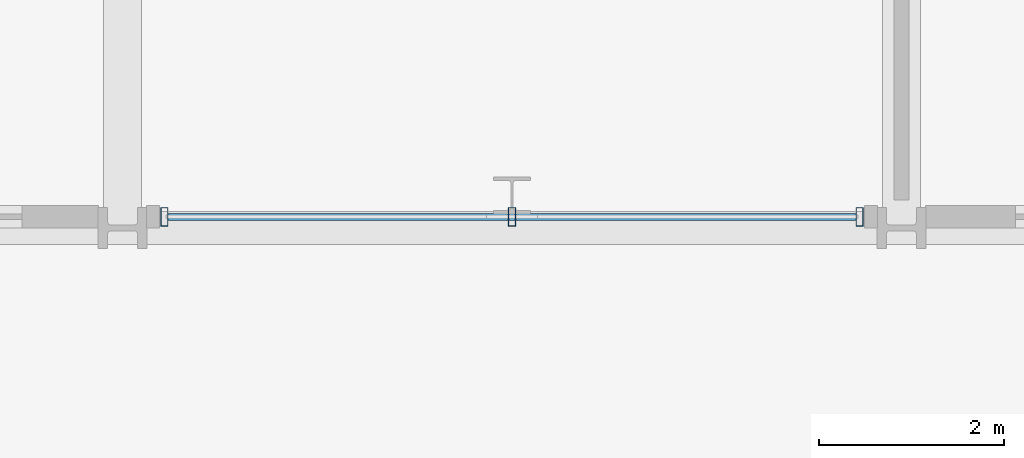
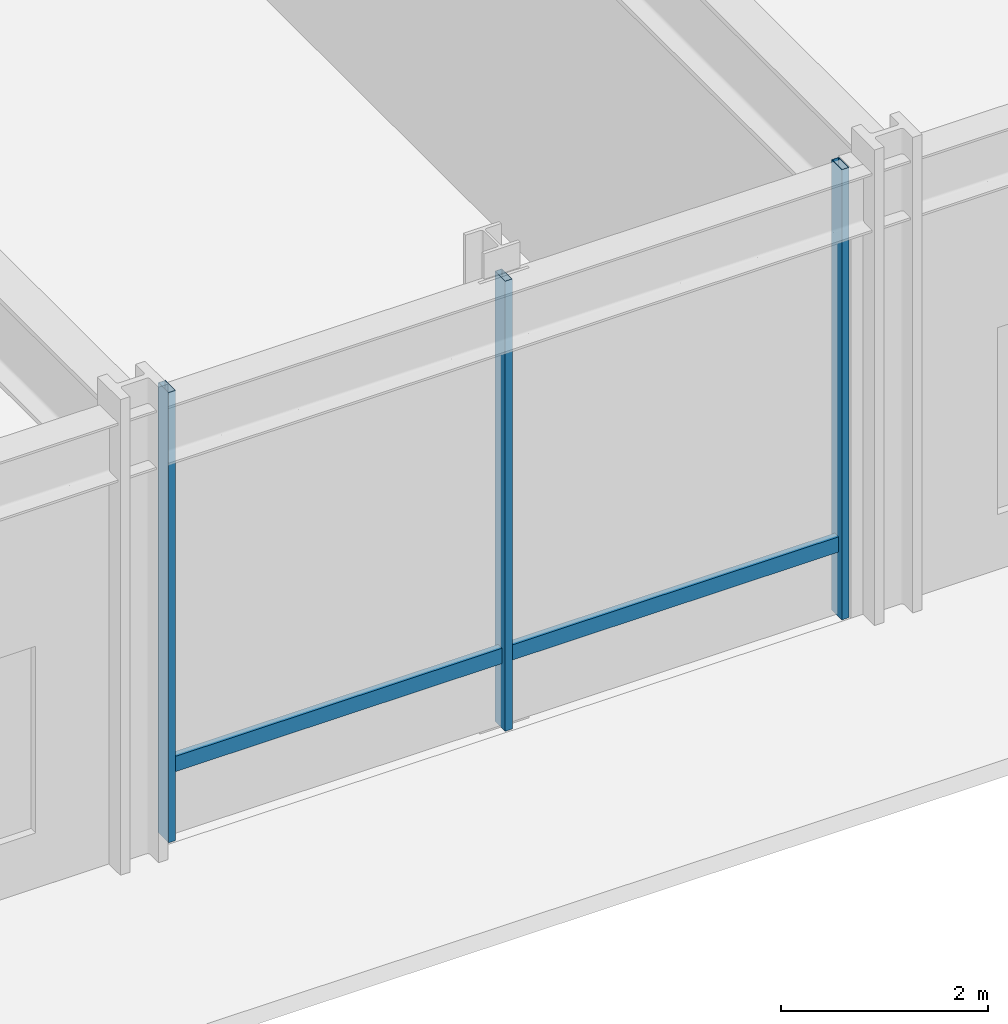
# One storey, part 3 of 21: 4 members, 1 element without a shape of its own.
"""IFC4 building model written with IfcOpenShell, lengths in metres."""

from ifc_helpers import new_model, si_unit, direction, frame, origin, origin_2d, place, context, subcontext, project, spatial, hollow_rectangle, extrude, material, layer, layer_set, material_profile, profile_set, type_object, element, aggregate, save


model = new_model("IFC4")

# Units and contexts
model_context = context("Model", 3, precision=1e-05, world=origin(), true_north=direction((0.0, 1.0)))
body_context = subcontext(model_context, "Body", "Model", "MODEL_VIEW")
ifc_project = project(units=[si_unit("LENGTHUNIT", "METRE"), si_unit("AREAUNIT", "SQUARE_METRE"), si_unit("VOLUMEUNIT", "CUBIC_METRE"), si_unit("PLANEANGLEUNIT", "RADIAN"), si_unit("MASSUNIT", "GRAM", prefix="KILO")], contexts=[model_context])

# Site, building, storey
site_placement = place(None, origin())
site = spatial("IfcSite", under=ifc_project, at=site_placement, CompositionType="ELEMENT")
building_placement = place(site_placement, origin())
building = spatial("IfcBuilding", under=site, at=building_placement, Name="Drelvath Grand Hotel", CompositionType="ELEMENT")
storey_placement = place(building_placement, origin())
storey = spatial("IfcBuildingStorey", under=building, at=storey_placement, Name="L00", CompositionType="ELEMENT", Elevation=0.0)

# Curtain wall, members
ifc_material = material(Name="Dark Bronze Anodised Aluminium Frame", Category="aluminium")
ifc_layer = layer(ifc_material, 0.199951171875)
ifc_layer_set = layer_set([ifc_layer], Name="Dark Bronze Anodised Aluminium Frame")
curtain_wall_type = type_object("IfcCurtainWallType", Name="Stick Curtain Wall CW-01 Dark Bronze Podium", PredefinedType="NOTDEFINED", material=ifc_layer_set)
curtain_wall_placement = place(storey_placement, origin())
curtain_wall = element("IfcCurtainWall", 1, at=curtain_wall_placement, inside=storey, type_object=curtain_wall_type, Name="L00 CW-01 Curtain Wall CW01-L00-SC1", PredefinedType="NOTDEFINED")
ifc_material_profile_1 = material_profile(ifc_material, hollow_rectangle(XDim=0.074951171875, YDim=0.179931640625, WallThickness=0.0048828125, at=origin_2d()), Name="HSS180X75X5")
ifc_profile_set_1 = profile_set([ifc_material_profile_1], Name="Dark Bronze Anodised Aluminium Frame")
member_type_1 = type_object("IfcMemberType", Name="Curtain Wall Horizontal Transom CW-01 HSS180X75X5", PredefinedType="USERDEFINED", material=ifc_profile_set_1)
member_1_placement = place(storey_placement, frame((-0.489990234375, 0.1201171875, 0.85009765625), z_axis=(-1.0, 0.0, 0.0), x_axis=(0.0, -1.0, 0.0)))
member_1 = element("IfcMember", 2, at=member_1_placement, type_object=member_type_1, Name="CW01-L00-SC1 Sill Transom", ObjectType="TRANSOM", PredefinedType="USERDEFINED", context=body_context, shape_type="SweptSolid", body=[
    extrude(hollow_rectangle(XDim=0.074951171875, YDim=0.179931640625, WallThickness=0.0048828125, at=origin_2d()), origin(), (0.0, 0.0, 1.0), 7.419921875),
])
ifc_material_profile_2 = material_profile(ifc_material, hollow_rectangle(XDim=0.080078125, YDim=0.199951171875, WallThickness=0.0048828125, at=origin_2d()), Name="HSS200X80X5")
ifc_profile_set_2 = profile_set([ifc_material_profile_2], Name="Dark Bronze Anodised Aluminium Frame")
member_type_2 = type_object("IfcMemberType", Name="Curtain Wall Vertical Mullion CW-01 HSS200X80X5", PredefinedType="MULLION", material=ifc_profile_set_2)
member_2_placement = place(storey_placement, frame((-0.449951171875, 0.1201171875, 0.0), z_axis=(0.0, 0.0, 1.0), x_axis=(1.0, 0.0, 0.0)))
member_2 = element("IfcMember", 3, at=member_2_placement, type_object=member_type_2, Name="CW01-L00-SC1 Mullion 1", PredefinedType="MULLION", context=body_context, shape_type="SweptSolid", body=[
    extrude(hollow_rectangle(XDim=0.080078125, YDim=0.199951171875, WallThickness=0.0048828125, at=origin_2d()), origin(), (0.0, 0.0, 1.0), 5.300048828125),
])
member_3_placement = place(storey_placement, frame((-4.199951171875, 0.1201171875, 0.0), z_axis=(0.0, 0.0, 1.0), x_axis=(1.0, 0.0, 0.0)))
member_3 = element("IfcMember", 4, at=member_3_placement, type_object=member_type_2, Name="CW01-L00-SC1 Mullion 2", PredefinedType="MULLION", context=body_context, shape_type="SweptSolid", body=[
    extrude(hollow_rectangle(XDim=0.080078125, YDim=0.199951171875, WallThickness=0.0048828125, at=origin_2d()), origin(), (0.0, 0.0, 1.0), 5.300048828125),
])
member_4_placement = place(storey_placement, frame((-7.949951171875, 0.1201171875, 0.0), z_axis=(0.0, 0.0, 1.0), x_axis=(1.0, 0.0, 0.0)))
member_4 = element("IfcMember", 5, at=member_4_placement, type_object=member_type_2, Name="CW01-L00-SC1 Mullion 3", PredefinedType="MULLION", context=body_context, shape_type="SweptSolid", body=[
    extrude(hollow_rectangle(XDim=0.080078125, YDim=0.199951171875, WallThickness=0.0048828125, at=origin_2d()), origin(), (0.0, 0.0, 1.0), 5.300048828125),
])
aggregate(curtain_wall, [member_2, member_3, member_4, member_1])

save(model, "model.ifc")
